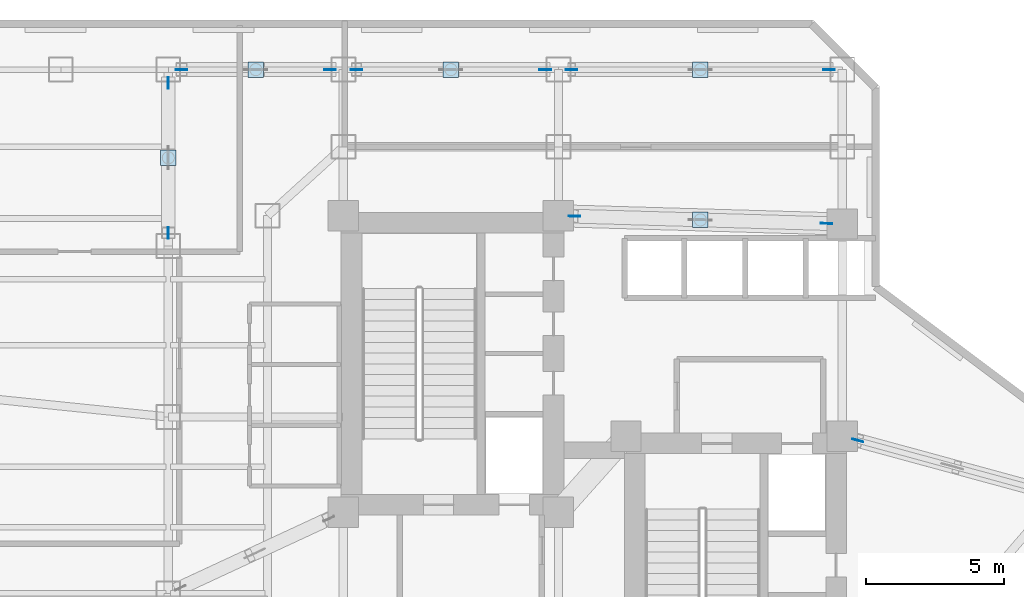
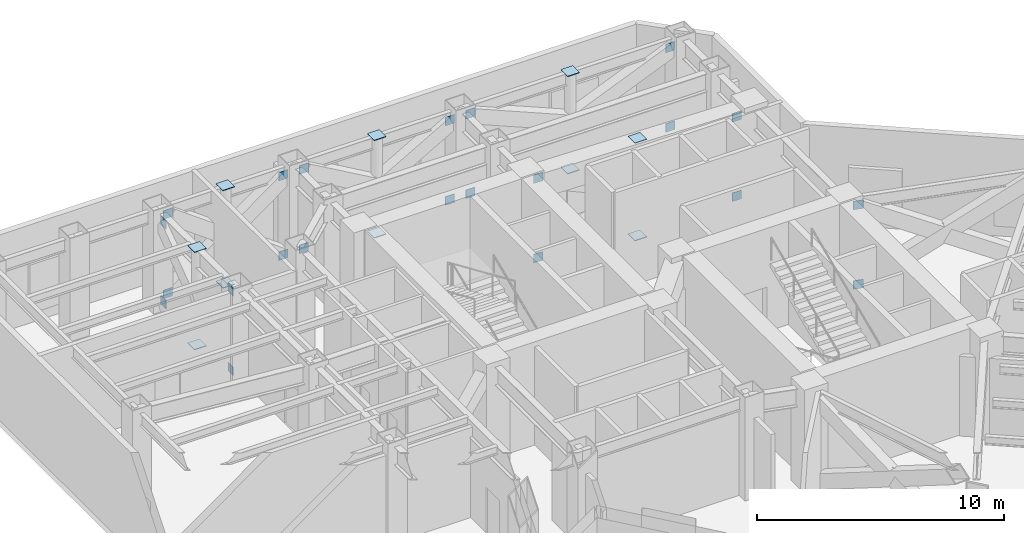
# One storey, part 7 of 14: 32 plates.
"""IFC4 building model written with IfcOpenShell, lengths in metres."""

from ifc_helpers import new_model, si_unit, direction, frame, origin, origin_2d, place, context, subcontext, project, spatial, rectangle, extrude, material, layer, layer_set, type_object, element, save


model = new_model("IFC4")

# Units and contexts
model_context = context("Model", 3, precision=1e-05, world=origin(), true_north=direction((0.0, 1.0)))
body_context = subcontext(model_context, "Body", "Model", "MODEL_VIEW")
ifc_project = project(units=[si_unit("LENGTHUNIT", "METRE"), si_unit("AREAUNIT", "SQUARE_METRE"), si_unit("VOLUMEUNIT", "CUBIC_METRE"), si_unit("PLANEANGLEUNIT", "RADIAN"), si_unit("MASSUNIT", "GRAM", prefix="KILO")], contexts=[model_context])

# Site, building, storey
site_placement = place(None, origin())
site = spatial("IfcSite", under=ifc_project, at=site_placement, CompositionType="ELEMENT")
building_placement = place(site_placement, origin())
building = spatial("IfcBuilding", under=site, at=building_placement, Name="Hatsunagi Terrace Concourse", CompositionType="ELEMENT")
storey_placement = place(building_placement, frame((0.0, 0.0, 91.35009765625)))
storey = spatial("IfcBuildingStorey", under=building, at=storey_placement, Name="L24", CompositionType="ELEMENT", Elevation=91.35009765625)

# Plates
ifc_material_1 = material(Name="Steel SN490C", Category="steel")
ifc_layer_1 = layer(ifc_material_1, 0.031982421875)
ifc_layer_set_1 = layer_set([ifc_layer_1], Name="ColumnEndCapPlate_32")
plate_type_1 = type_object("IfcPlateType", Name="ColumnEndCapPlate_32", PredefinedType="USERDEFINED", material=ifc_layer_set_1)
for number, where, z_axis, x_axis, name in (
    (1, (19.199951171875, 45.39990234375, 0.0), (0.0, 0.0, 1.0), (1.0, 0.0, 0.0), "Belt Strut Base End Plate GP-03 L24-2"),
    (2, (19.199951171875, 45.39990234375, 4.81787109375), (0.0, 0.0, 1.0), (1.0, 0.0, 0.0), "Belt Strut Top End Plate GP-03 L24-2"),
    (3, (22.375, 48.60009765625, 0.0), (0.0, 0.0, 1.0), (1.0, 0.0, 0.0), "Belt Strut Base End Plate GP-03 L24-3"),
    (4, (22.375, 48.60009765625, 4.81787109375), (0.0, 0.0, 1.0), (1.0, 0.0, 0.0), "Belt Strut Top End Plate GP-03 L24-3"),
    (5, (29.449951171875, 48.60009765625, 0.0), (0.0, 0.0, 1.0), (1.0, 0.0, 0.0), "Belt Strut Base End Plate GP-03 L24-4"),
    (6, (29.449951171875, 48.60009765625, 4.81787109375), (0.0, 0.0, 1.0), (1.0, 0.0, 0.0), "Belt Strut Top End Plate GP-03 L24-4"),
    (7, (38.5, 43.14990234375, 0.0), (0.0, 0.0, 1.0), (1.0, 0.0, 0.0), "Belt Strut Base End Plate GP-03 L24-7"),
    (8, (38.5, 43.14990234375, 4.81787109375), (0.0, 0.0, 1.0), (1.0, 0.0, 0.0), "Belt Strut Top End Plate GP-03 L24-7"),
    (9, (38.5, 48.60009765625, 0.0), (0.0, 0.0, 1.0), (1.0, 0.0, 0.0), "Belt Strut Base End Plate GP-03 L24-8"),
    (10, (38.5, 48.60009765625, 4.81787109375), (0.0, 0.0, 1.0), (1.0, 0.0, 0.0), "Belt Strut Top End Plate GP-03 L24-8"),
):
    element("IfcPlate", number, at=place(storey_placement, frame(where, z_axis=z_axis, x_axis=x_axis)), inside=storey, type_object=plate_type_1, Name=name, ObjectType="GUSSET_PLATE", PredefinedType="USERDEFINED", context=body_context, shape_type="SweptSolid", body=[
        extrude(rectangle(XDim=0.56005859375, YDim=0.56005859375, at=origin_2d()), origin(), (0.0, 0.0, 1.0), 0.031982421875),
    ])
ifc_material_2 = material(Name="Steel SN490C", Category="steel")
ifc_layer_2 = layer(ifc_material_2, 0.031982421875)
ifc_layer_set_2 = layer_set([ifc_layer_2], Name="XBraceNodeCapPlate_32")
plate_type_2 = type_object("IfcPlateType", Name="XBraceNodeCapPlate_32", PredefinedType="USERDEFINED", material=ifc_layer_set_2)
for number, where, z_axis, x_axis, name in (
    (11, (19.199951171875, 42.677978515625, 0.25), (0.0, 0.0, 1.0), (0.0, 1.0, 0.0), "Cast-In Core and Node Embed Plate GP-02 EP-OUT-L24-2-AB"),
    (12, (19.199951171875, 42.677978515625, 4.179931640625), (0.0, 0.0, 1.0), (0.0, 1.0, 0.0), "Cast-In Core and Node Embed Plate GP-02 EP-OUT-L24-2-AT"),
    (13, (19.199951171875, 48.1220703125, 0.25), (0.0, 0.0, 1.0), (0.0, 1.0, 0.0), "Cast-In Core and Node Embed Plate GP-02 EP-OUT-L24-2-BB"),
    (14, (19.199951171875, 48.1220703125, 4.179931640625), (0.0, 0.0, 1.0), (0.0, 1.0, 0.0), "Cast-In Core and Node Embed Plate GP-02 EP-OUT-L24-2-BT"),
    (15, (19.677978515625, 48.60009765625, 0.25), (0.0, 0.0, 1.0), (1.0, 0.0, 0.0), "Cast-In Core and Node Embed Plate GP-02 EP-OUT-L24-3-AB"),
    (16, (19.677978515625, 48.60009765625, 4.179931640625), (0.0, 0.0, 1.0), (1.0, 0.0, 0.0), "Cast-In Core and Node Embed Plate GP-02 EP-OUT-L24-3-AT"),
    (17, (25.072021484375, 48.60009765625, 0.25), (0.0, 0.0, 1.0), (1.0, 0.0, 0.0), "Cast-In Core and Node Embed Plate GP-02 EP-OUT-L24-3-BB"),
    (18, (25.072021484375, 48.60009765625, 4.179931640625), (0.0, 0.0, 1.0), (1.0, 0.0, 0.0), "Cast-In Core and Node Embed Plate GP-02 EP-OUT-L24-3-BT"),
    (19, (26.028076171875, 48.60009765625, 0.25), (0.0, 0.0, 1.0), (1.0, 0.0, 0.0), "Cast-In Core and Node Embed Plate GP-02 EP-OUT-L24-4-AB"),
    (20, (26.028076171875, 48.60009765625, 4.179931640625), (0.0, 0.0, 1.0), (1.0, 0.0, 0.0), "Cast-In Core and Node Embed Plate GP-02 EP-OUT-L24-4-AT"),
    (21, (32.8720703125, 48.60009765625, 0.25), (0.0, 0.0, 1.0), (1.0, 0.0, 0.0), "Cast-In Core and Node Embed Plate GP-02 EP-OUT-L24-4-BB"),
    (22, (32.8720703125, 48.60009765625, 4.179931640625), (0.0, 0.0, 1.0), (1.0, 0.0, 0.0), "Cast-In Core and Node Embed Plate GP-02 EP-OUT-L24-4-BT"),
    (23, (44.2080078125, 35.14794921875, 0.25), (0.0, 0.0, 1.0), (0.964961560534, -0.262391285471, 0.0), "Cast-In Core and Node Embed Plate GP-02 EP-OUT-L24-6-AB"),
    (24, (44.2080078125, 35.14794921875, 4.179931640625), (0.0, 0.0, 1.0), (0.964961560534, -0.262391285471, 0.0), "Cast-In Core and Node Embed Plate GP-02 EP-OUT-L24-6-AT"),
    (25, (33.927978515625, 43.282958984375, 0.25), (0.0, 0.0, 1.0), (0.999576120557, -0.029113213716, 0.0), "Cast-In Core and Node Embed Plate GP-02 EP-OUT-L24-7-AB"),
    (26, (33.927978515625, 43.282958984375, 4.179931640625), (0.0, 0.0, 1.0), (0.999576120557, -0.029113213716, 0.0), "Cast-In Core and Node Embed Plate GP-02 EP-OUT-L24-7-AT"),
    (27, (43.072021484375, 43.01708984375, 0.25), (0.0, 0.0, 1.0), (0.999576120557, -0.029113213716, 0.0), "Cast-In Core and Node Embed Plate GP-02 EP-OUT-L24-7-BB"),
    (28, (43.072021484375, 43.01708984375, 4.179931640625), (0.0, 0.0, 1.0), (0.999576120557, -0.029113213716, 0.0), "Cast-In Core and Node Embed Plate GP-02 EP-OUT-L24-7-BT"),
    (29, (33.827880859375, 48.60009765625, 0.25), (0.0, 0.0, 1.0), (1.0, 0.0, 0.0), "Cast-In Core and Node Embed Plate GP-02 EP-OUT-L24-8-AB"),
    (30, (33.827880859375, 48.60009765625, 4.179931640625), (0.0, 0.0, 1.0), (1.0, 0.0, 0.0), "Cast-In Core and Node Embed Plate GP-02 EP-OUT-L24-8-AT"),
    (31, (43.172119140625, 48.60009765625, 0.25), (0.0, 0.0, 1.0), (1.0, 0.0, 0.0), "Cast-In Core and Node Embed Plate GP-02 EP-OUT-L24-8-BB"),
    (32, (43.172119140625, 48.60009765625, 4.179931640625), (0.0, 0.0, 1.0), (1.0, 0.0, 0.0), "Cast-In Core and Node Embed Plate GP-02 EP-OUT-L24-8-BT"),
):
    element("IfcPlate", number, at=place(storey_placement, frame(where, z_axis=z_axis, x_axis=x_axis)), inside=storey, type_object=plate_type_2, Name=name, ObjectType="GUSSET_PLATE", PredefinedType="USERDEFINED", context=body_context, shape_type="SweptSolid", body=[
        extrude(rectangle(XDim=0.419921875, YDim=0.031982421875, at=origin_2d()), origin(), (0.0, 0.0, 1.0), 0.419921875),
    ])

save(model, "model.ifc")
